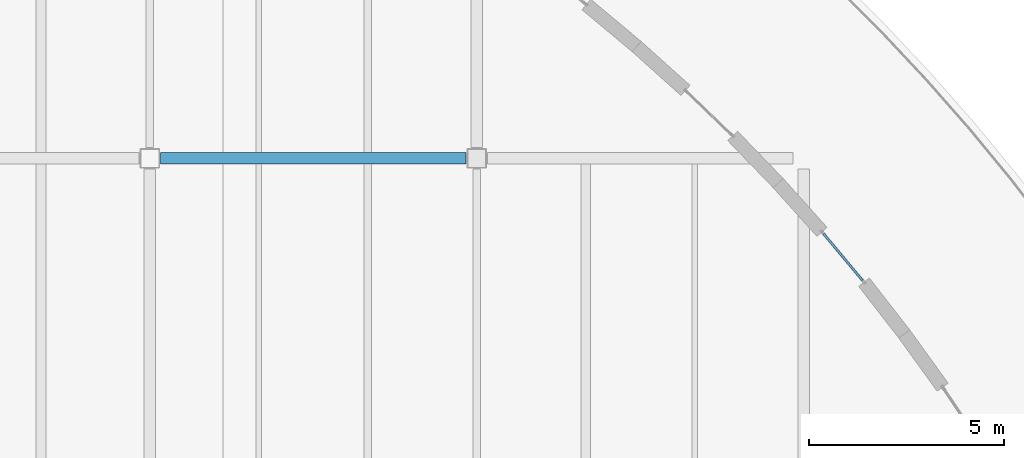
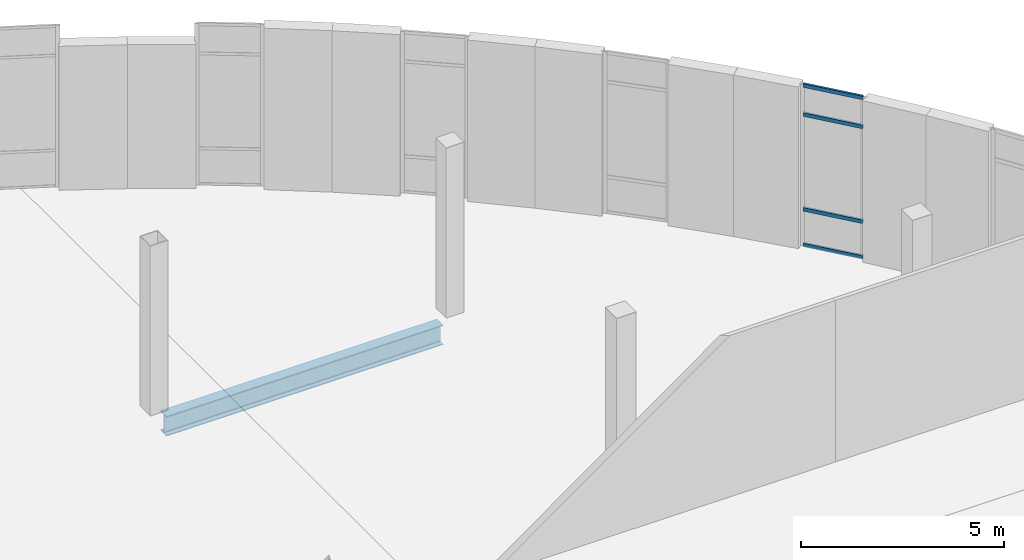
# One storey, part 52 of 103: 4 members, 1 beam, 1 element without a shape of its own.
"""IFC4 building model written with IfcOpenShell, lengths in metres."""

from ifc_helpers import new_model, si_unit, direction, frame, origin, origin_2d, place, context, subcontext, project, spatial, hollow_rectangle, i_section, extrude, material, layer, layer_set, material_profile, profile_set, type_object, element, aggregate, save


model = new_model("IFC4")

# Units and contexts
model_context = context("Model", 3, precision=1e-05, world=origin(), true_north=direction((0.0, 1.0)))
body_context = subcontext(model_context, "Body", "Model", "MODEL_VIEW")
ifc_project = project(units=[si_unit("LENGTHUNIT", "METRE"), si_unit("AREAUNIT", "SQUARE_METRE"), si_unit("VOLUMEUNIT", "CUBIC_METRE"), si_unit("PLANEANGLEUNIT", "RADIAN"), si_unit("MASSUNIT", "GRAM", prefix="KILO"), si_unit("THERMODYNAMICTEMPERATUREUNIT", "KELVIN")], contexts=[model_context])

# Site, building, storey
site_placement = place(None, origin())
site = spatial("IfcSite", under=ifc_project, at=site_placement, CompositionType="ELEMENT")
building_placement = place(site_placement, origin())
building = spatial("IfcBuilding", under=site, at=building_placement, Name="Lustrewick Department Store", CompositionType="ELEMENT")
storey_placement = place(building_placement, frame((0.0, 0.0, 16.5)))
storey = spatial("IfcBuildingStorey", under=building, at=storey_placement, Name="L04", CompositionType="ELEMENT", Elevation=16.5)

# Curtain wall, members
ifc_material_1 = material(Name="Thermally broken aluminium 6063-T5", Category="aluminium")
ifc_layer = layer(ifc_material_1, 0.14990234375, Name="Thermally broken aluminium 6063-T5")
ifc_layer_set = layer_set([ifc_layer], Name="Thermally broken aluminium 6063-T5")
curtain_wall_type = type_object("IfcCurtainWallType", Name="CW05", PredefinedType="NOTDEFINED", material=ifc_layer_set)
curtain_wall_placement = place(storey_placement, origin())
curtain_wall = element("IfcCurtainWall", 1, at=curtain_wall_placement, inside=storey, type_object=curtain_wall_type, Name="L04 V4 Curtain Wall CW05", PredefinedType="NOTDEFINED")
ifc_material_profile_1 = material_profile(ifc_material_1, hollow_rectangle(XDim=0.06005859375, YDim=0.110107421875, WallThickness=0.0029296875, at=origin_2d()), Name="ALU-T 60x110x3")
ifc_profile_set_1 = profile_set([ifc_material_profile_1], Name="Thermally broken aluminium 6063-T5")
member_type = type_object("IfcMemberType", Name="CW05-T1", PredefinedType="USERDEFINED", material=ifc_profile_set_1)
member_1_placement = place(storey_placement, frame((152.71337890625, 89.262451171875, 0.030029296875), z_axis=(-0.641181270228, 0.767389456996, 0.0), x_axis=(-0.767389456996, -0.641181270228, 0.0)))
member_1 = element("IfcMember", 2, at=member_1_placement, type_object=member_type, Name="CW05 transom 1.1", ObjectType="TRANSOM", PredefinedType="USERDEFINED", context=body_context, shape_type="SweptSolid", body=[
    extrude(hollow_rectangle(XDim=0.06005859375, YDim=0.110107421875, WallThickness=0.0029296875, at=origin_2d()), origin(), (0.0, 0.0, 1.0), 1.56494140625),
])
member_2_placement = place(storey_placement, frame((152.71337890625, 89.262451171875, 1.10009765625), z_axis=(-0.641181270228, 0.767389456996, 0.0), x_axis=(-0.767389456996, -0.641181270228, 0.0)))
member_2 = element("IfcMember", 3, at=member_2_placement, type_object=member_type, Name="CW05 transom 1.2", ObjectType="TRANSOM", PredefinedType="USERDEFINED", context=body_context, shape_type="SweptSolid", body=[
    extrude(hollow_rectangle(XDim=0.06005859375, YDim=0.110107421875, WallThickness=0.0029296875, at=origin_2d()), origin(), (0.0, 0.0, 1.0), 1.56494140625),
])
member_3_placement = place(storey_placement, frame((152.71337890625, 89.262451171875, 3.945068359375), z_axis=(-0.641181270228, 0.767389456996, 0.0), x_axis=(-0.767389456996, -0.641181270228, 0.0)))
member_3 = element("IfcMember", 4, at=member_3_placement, type_object=member_type, Name="CW05 transom 1.3", ObjectType="TRANSOM", PredefinedType="USERDEFINED", context=body_context, shape_type="SweptSolid", body=[
    extrude(hollow_rectangle(XDim=0.06005859375, YDim=0.110107421875, WallThickness=0.0029296875, at=origin_2d()), origin(), (0.0, 0.0, 1.0), 1.56494140625),
])
member_4_placement = place(storey_placement, frame((152.71337890625, 89.262451171875, 4.81494140625), z_axis=(-0.641181270228, 0.767389456996, 0.0), x_axis=(-0.767389456996, -0.641181270228, 0.0)))
member_4 = element("IfcMember", 5, at=member_4_placement, type_object=member_type, Name="CW05 transom 1.4", ObjectType="TRANSOM", PredefinedType="USERDEFINED", context=body_context, shape_type="SweptSolid", body=[
    extrude(hollow_rectangle(XDim=0.06005859375, YDim=0.110107421875, WallThickness=0.0029296875, at=origin_2d()), origin(), (0.0, 0.0, 1.0), 1.56494140625),
])
aggregate(curtain_wall, [member_1, member_2, member_3, member_4])

# Beam
ifc_material_2 = material(Name="Structural steel Q355B", Category="steel")
ifc_material_profile_2 = material_profile(ifc_material_2, i_section(OverallWidth=0.302001953125, OverallDepth=0.593994140625, WebThickness=0.013916015625, FlangeThickness=0.02294921875, FilletRadius=0.02392578125, at=origin_2d()), Name="HM 594x302x14x23")
ifc_profile_set_2 = profile_set([ifc_material_profile_2], Name="Structural steel Q355B")
beam_type = type_object("IfcBeamType", Name="G10", PredefinedType="BEAM", material=ifc_profile_set_2)
beam_placement = place(storey_placement, frame((134.675048828125, 92.39990234375, -0.552001953125), z_axis=(1.0, 0.0, 0.0), x_axis=(0.0, 1.0, 0.0)))
element("IfcBeam", 6, at=beam_placement, inside=storey, type_object=beam_type, Name="L04 V4 Girder G10", PredefinedType="BEAM", context=body_context, shape_type="SweptSolid", body=[
    extrude(i_section(OverallWidth=0.302001953125, OverallDepth=0.593994140625, WebThickness=0.013916015625, FlangeThickness=0.02294921875, FilletRadius=0.02392578125, at=origin_2d()), origin(), (0.0, 0.0, 1.0), 7.849853515625),
])

save(model, "model.ifc")
